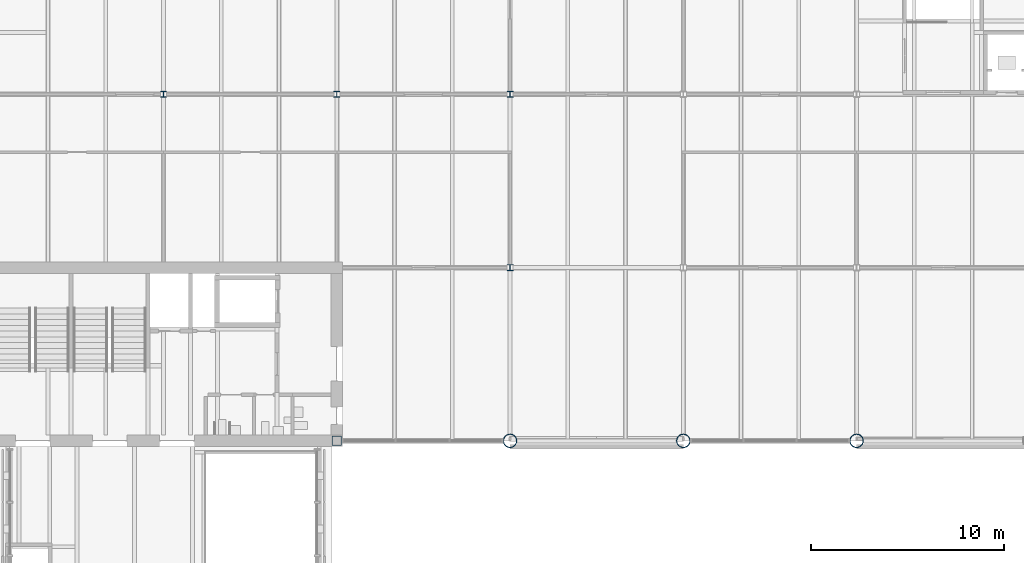
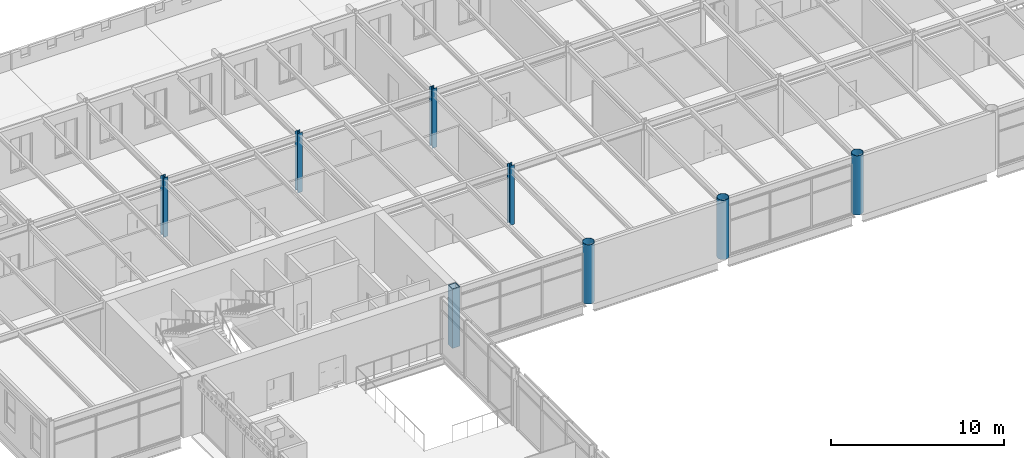
# One storey, part 8 of 123: 8 columns.
"""IFC4 building model written with IfcOpenShell, lengths in metres."""

from ifc_helpers import new_model, si_unit, direction, frame, origin, origin_2d, place, context, subcontext, project, spatial, hollow_rectangle, hollow_circle, i_section, extrude, material, material_profile, profile_set, type_object, element, save


model = new_model("IFC4")

# Units and contexts
model_context = context("Model", 3, precision=1e-05, world=origin(), true_north=direction((0.0, 1.0)))
body_context = subcontext(model_context, "Body", "Model", "MODEL_VIEW")
ifc_project = project(units=[si_unit("LENGTHUNIT", "METRE"), si_unit("AREAUNIT", "SQUARE_METRE"), si_unit("VOLUMEUNIT", "CUBIC_METRE"), si_unit("PLANEANGLEUNIT", "RADIAN"), si_unit("MASSUNIT", "GRAM", prefix="KILO")], contexts=[model_context])

# Site, building, storey
site_placement = place(None, origin())
site = spatial("IfcSite", under=ifc_project, at=site_placement, CompositionType="ELEMENT")
building_placement = place(site_placement, origin())
building = spatial("IfcBuilding", under=site, at=building_placement, Name="Baradari Gate Terminus", CompositionType="ELEMENT")
storey_placement = place(building_placement, frame((0.0, 0.0, 7.5)))
storey = spatial("IfcBuildingStorey", under=building, at=storey_placement, Name="L01", CompositionType="ELEMENT", Elevation=7.5)

# Columns
ifc_material_1 = material(Name="Steel S355", Category="steel")
ifc_material_profile_1 = material_profile(ifc_material_1, hollow_rectangle(XDim=0.5, YDim=0.5, WallThickness=0.031982421875, at=origin_2d()), Name="FB 500x500x32")
ifc_profile_set_1 = profile_set([ifc_material_profile_1], Name="Steel S355")
column_type_1 = type_object("IfcColumnType", Name="Abutment end post C06 FB 500x500x32", PredefinedType="COLUMN", material=ifc_profile_set_1)
column_placement = place(storey_placement, frame((90.0, 81.0, 0.0), z_axis=(0.0, 0.0, 1.0), x_axis=(1.0, 0.0, 0.0)))
element("IfcColumn", 1, at=column_placement, inside=storey, type_object=column_type_1, Name="C06 column 11-K L01", PredefinedType="COLUMN", context=body_context, shape_type="SweptSolid", body=[
    extrude(hollow_rectangle(XDim=0.5, YDim=0.5, WallThickness=0.031982421875, at=origin_2d()), origin(), (0.0, 0.0, 1.0), 4.199951171875),
])
ifc_material_2 = material(Name="Steel S355", Category="steel")
ifc_material_profile_2 = material_profile(ifc_material_2, hollow_circle(Radius=0.35546875, WallThickness=0.02490234375, at=origin_2d()), Name="CHS 711x25")
ifc_profile_set_2 = profile_set([ifc_material_profile_2], Name="Steel S355")
column_type_2 = type_object("IfcColumnType", Name="Braced north shed column C10 CHS 711x25", PredefinedType="COLUMN", material=ifc_profile_set_2)
for number, where, z_axis, x_axis, name in (
    (2, (99.0, 81.0, 0.0), (0.0, 0.0, 1.0), (1.0, 0.0, 0.0), "C10 column 12-K L01"),
    (3, (108.0, 81.0, 0.0), (0.0, 0.0, 1.0), (1.0, 0.0, 0.0), "C10 column 13-K L01"),
    (4, (117.0, 81.0, 0.0), (0.0, 0.0, 1.0), (1.0, 0.0, 0.0), "C10 column 14-K L01"),
):
    element("IfcColumn", number, at=place(storey_placement, frame(where, z_axis=z_axis, x_axis=x_axis)), inside=storey, type_object=column_type_2, Name=name, PredefinedType="COLUMN", context=body_context, shape_type="SweptSolid", body=[
        extrude(hollow_circle(Radius=0.35546875, WallThickness=0.02490234375, at=origin_2d()), origin(), (0.0, 0.0, 1.0), 4.199951171875),
    ])
ifc_material_3 = material(Name="Steel S355", Category="steel")
ifc_material_profile_3 = material_profile(ifc_material_3, i_section(OverallWidth=0.307373046875, OverallDepth=0.314453125, WebThickness=0.011962890625, FlangeThickness=0.018798828125, FilletRadius=0.01513671875, at=origin_2d()), Name="UC 305x305x118")
ifc_profile_set_3 = profile_set([ifc_material_profile_3], Name="Steel S355")
column_type_3 = type_object("IfcColumnType", Name="Head-house column C07 UC 305x305x118", PredefinedType="COLUMN", material=ifc_profile_set_3)
for number, where, z_axis, x_axis, name in (
    (5, (81.0, 99.0, 0.0), (0.0, 0.0, 1.0), (1.0, 0.0, 0.0), "C07 column 10-M L01"),
    (6, (90.0, 99.0, 0.0), (0.0, 0.0, 1.0), (1.0, 0.0, 0.0), "C07 column 11-M L01"),
    (7, (99.0, 90.0, 0.0), (0.0, 0.0, 1.0), (1.0, 0.0, 0.0), "C07 column 12-L L01"),
    (8, (99.0, 99.0, 0.0), (0.0, 0.0, 1.0), (1.0, 0.0, 0.0), "C07 column 12-M L01"),
):
    element("IfcColumn", number, at=place(storey_placement, frame(where, z_axis=z_axis, x_axis=x_axis)), inside=storey, type_object=column_type_3, Name=name, PredefinedType="COLUMN", context=body_context, shape_type="SweptSolid", body=[
        extrude(i_section(OverallWidth=0.307373046875, OverallDepth=0.314453125, WebThickness=0.011962890625, FlangeThickness=0.018798828125, FilletRadius=0.01513671875, at=origin_2d()), origin(), (0.0, 0.0, 1.0), 4.199951171875),
    ])

save(model, "model.ifc")
